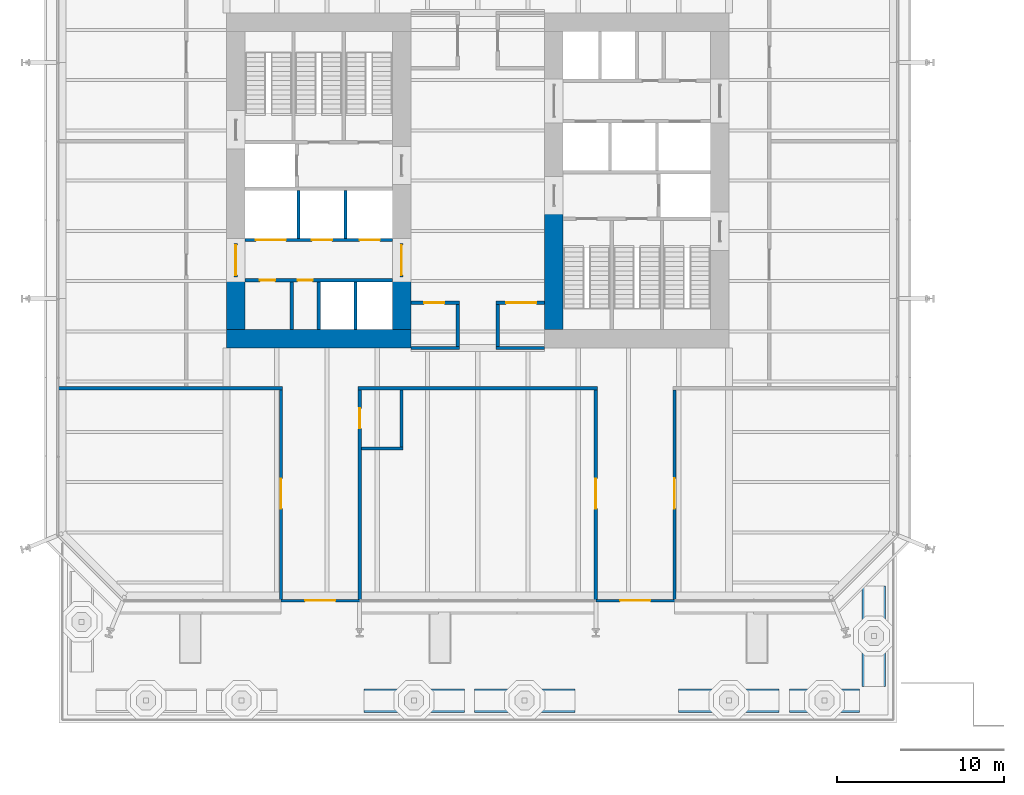
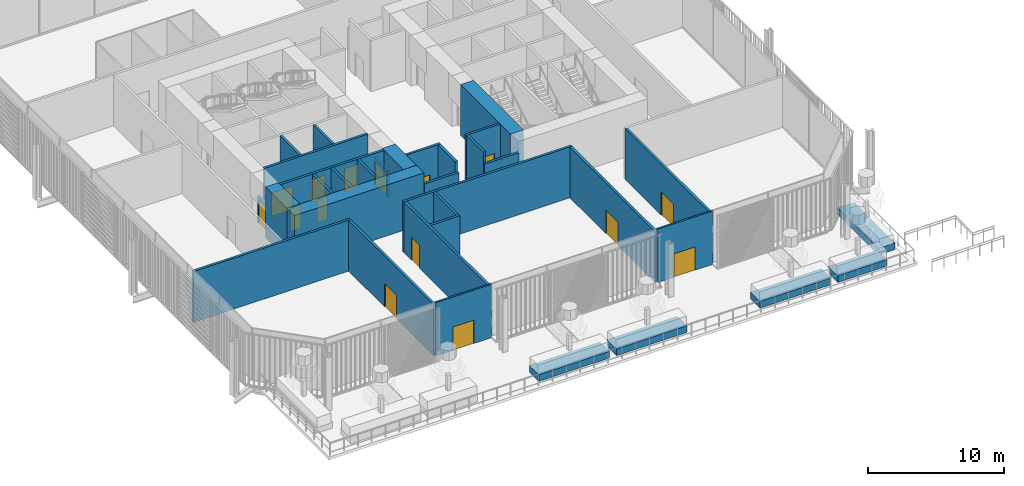
# One storey, part 15 of 21: 34 walls, 15 doors, 15 openings.
"""IFC4 building model written with IfcOpenShell, lengths in metres."""

from ifc_helpers import new_model, si_unit, direction, frame, frame_2d, origin, place, context, subcontext, project, spatial, rectangle, extrude, material, layer, layer_set, type_object, element, fill, save


model = new_model("IFC4")

# Units and contexts
model_context = context("Model", 3, precision=1e-05, world=origin(), true_north=direction((0.0, 1.0)))
body_context = subcontext(model_context, "Body", "Model", "MODEL_VIEW")
ifc_project = project(units=[si_unit("LENGTHUNIT", "METRE"), si_unit("AREAUNIT", "SQUARE_METRE"), si_unit("VOLUMEUNIT", "CUBIC_METRE"), si_unit("PLANEANGLEUNIT", "RADIAN"), si_unit("MASSUNIT", "GRAM", prefix="KILO")], contexts=[model_context])

# Site, building, storey
site_placement = place(None, origin())
site = spatial("IfcSite", under=ifc_project, at=site_placement, CompositionType="ELEMENT")
building_placement = place(site_placement, origin())
building = spatial("IfcBuilding", under=site, at=building_placement, Name="Millrace Tower", CompositionType="ELEMENT")
storey_placement = place(building_placement, frame((0.0, 0.0, 16.10009765625)))
storey = spatial("IfcBuildingStorey", under=building, at=storey_placement, Name="L04", CompositionType="ELEMENT", Elevation=16.10009765625)

# Walls
ifc_material_1 = material(Name="Concrete C80", Category="concrete")
ifc_layer_1 = layer(ifc_material_1, 1.10009765625)
ifc_layer_set_1 = layer_set([ifc_layer_1], Name="Concrete C80")
wall_type_1 = type_object("IfcWallType", Name="Core wall 1100 Concrete C80", PredefinedType="SHEAR", material=ifc_layer_set_1)
wall_1_placement = place(storey_placement, frame((-15.0, -9.449951171875, 0.0), z_axis=(0.0, 0.0, 1.0), x_axis=(1.0, 0.0, 0.0)))
element("IfcWall", 1, at=wall_1_placement, inside=storey, type_object=wall_type_1, Name="Core wall W L04", PredefinedType="SHEAR", context=body_context, shape_type="SweptSolid", body=[
    extrude(rectangle(XDim=11.0, YDim=1.10009765625, at=frame_2d((5.5, 0.0))), origin(), (0.0, 0.0, 1.0), 4.574951171875),
])
for number, where, z_axis, x_axis, name in (
    (2, (-14.449951171875, -8.89990234375, 0.0), (0.0, 0.0, 1.0), (0.0, 1.0, 0.0), "Core wall W L04"),
    (3, (-4.550048828125, -8.89990234375, 0.0), (0.0, 0.0, 1.0), (0.0, 1.0, 0.0), "Core wall W L04"),
):
    element("IfcWall", number, at=place(storey_placement, frame(where, z_axis=z_axis, x_axis=x_axis)), inside=storey, type_object=wall_type_1, Name=name, PredefinedType="SHEAR", context=body_context, shape_type="SweptSolid", body=[
        extrude(rectangle(XDim=3.14990234375, YDim=1.10009765625, at=frame_2d((1.574951171875, 0.0))), origin(), (0.0, 0.0, 1.0), 4.574951171875),
    ])
wall_2_placement = place(storey_placement, frame((4.550048828125, -1.550048828125, 0.0), z_axis=(0.0, 0.0, 1.0), x_axis=(0.0, -1.0, 0.0)))
element("IfcWall", 4, at=wall_2_placement, inside=storey, type_object=wall_type_1, Name="Core wall E L04", PredefinedType="SHEAR", context=body_context, shape_type="SweptSolid", body=[
    extrude(rectangle(XDim=7.349853515625, YDim=1.10009765625, at=frame_2d((3.6748046875, 0.0))), origin(), (0.0, 0.0, 1.0), 4.574951171875),
])
ifc_material_2 = material(Name="Masonry partition, fire-rated", Category="masonry")
ifc_layer_2 = layer(ifc_material_2, 0.199951171875)
ifc_layer_set_2 = layer_set([ifc_layer_2], Name="Masonry partition, fire-rated")
wall_type_2 = type_object("IfcWallType", Name="Corridor wall 200", PredefinedType="PARTITIONING", material=ifc_layer_set_2)
wall_3_placement = place(storey_placement, frame((-6.949951171875, -16.0, 0.0), z_axis=(0.0, 0.0, 1.0), x_axis=(1.0, 0.0, 0.0)))
element("IfcWall", 5, at=wall_3_placement, inside=storey, type_object=wall_type_2, Name="Corridor wall L04", PredefinedType="PARTITIONING", context=body_context, shape_type="SweptSolid", body=[
    extrude(rectangle(XDim=2.5, YDim=0.199951171875, at=frame_2d((1.25, 0.0))), origin(), (0.0, 0.0, 1.0), 4.574951171875),
])
wall_4_placement = place(storey_placement, frame((-25.030029296875, -12.39990234375, 0.0), z_axis=(0.0, 0.0, 1.0), x_axis=(1.0, 0.0, 0.0)))
element("IfcWall", 6, at=wall_4_placement, inside=storey, type_object=wall_type_2, Name="Corridor wall L04", PredefinedType="PARTITIONING", context=body_context, shape_type="SweptSolid", body=[
    extrude(rectangle(XDim=13.380126953125, YDim=0.199951171875, at=frame_2d((6.68994140625, 0.0))), origin(), (0.0, 0.0, 1.0), 4.574951171875),
])
wall_5_placement = place(storey_placement, frame((-7.14990234375, -12.39990234375, 0.0), z_axis=(0.0, 0.0, 1.0), x_axis=(1.0, 0.0, 0.0)))
element("IfcWall", 7, at=wall_5_placement, inside=storey, type_object=wall_type_2, Name="Corridor wall L04", PredefinedType="PARTITIONING", context=body_context, shape_type="SweptSolid", body=[
    extrude(rectangle(XDim=14.2998046875, YDim=0.199951171875, at=frame_2d((7.14990234375, 0.0))), origin(), (0.0, 0.0, 1.0), 4.574951171875),
])
for number, where, z_axis, x_axis, name in (
    (8, (-4.0, -10.0, 0.0), (0.0, 0.0, 1.0), (1.0, 0.0, 0.0), "Corridor wall L04"),
    (9, (1.10009765625, -10.0, 0.0), (0.0, 0.0, 1.0), (1.0, 0.0, 0.0), "Corridor wall L04"),
):
    element("IfcWall", number, at=place(storey_placement, frame(where, z_axis=z_axis, x_axis=x_axis)), inside=storey, type_object=wall_type_2, Name=name, PredefinedType="PARTITIONING", context=body_context, shape_type="SweptSolid", body=[
        extrude(rectangle(XDim=2.89990234375, YDim=0.199951171875, at=frame_2d((1.449951171875, 0.0))), origin(), (0.0, 0.0, 1.0), 3.62744140625),
    ])

# Wall, opening, door
wall_6_placement = place(storey_placement, frame((-4.0, -7.300048828125, 0.0), z_axis=(0.0, 0.0, 1.0), x_axis=(1.0, 0.0, 0.0)))
wall_6 = element("IfcWall", 10, at=wall_6_placement, inside=storey, type_object=wall_type_2, Name="Corridor wall L04", PredefinedType="PARTITIONING", context=body_context, shape_type="SweptSolid", body=[
    extrude(rectangle(XDim=2.89990234375, YDim=0.199951171875, at=frame_2d((1.449951171875, 0.0))), origin(), (0.0, 0.0, 1.0), 4.574951171875),
])
opening_1_placement = place(wall_6_placement, frame((0.800048828125, 0.0, 0.0)))
opening_1 = element("IfcOpeningElement", 11, at=opening_1_placement, cuts=wall_6, Name="Opening 04-P003", PredefinedType="OPENING", context=body_context, shape_type="SweptSolid", body=[
    extrude(rectangle(XDim=1.199951171875, YDim=2.10009765625, at=frame_2d((0.60009765625, 1.050048828125))), frame((0.0, 0.10986328125, 0.0), z_axis=(0.0, -1.0, 0.0), x_axis=(1.0, 0.0, 0.0)), (0.0, 0.0, 1.0), 0.219970703125),
])
ifc_material_3 = material(Name="Steel door set, fire-rated", Category="steel")
door_type_1 = type_object("IfcDoorType", Name="Corridor door 1200 x 2100", OperationType="SINGLE_SWING_LEFT", PredefinedType="DOOR", material=ifc_material_3)
door_1_placement = place(opening_1_placement, frame((1.199951171875, 0.0, 0.0), z_axis=(0.0, 0.0, 1.0), x_axis=(-1.0, 0.0, 0.0)))
door_1 = element("IfcDoor", 12, at=door_1_placement, inside=storey, type_object=door_type_1, Name="Door 04-P003", OperationType="SINGLE_SWING_RIGHT", OverallHeight=2.10009765625, OverallWidth=1.199951171875, PredefinedType="DOOR", context=body_context, shape_type="SweptSolid", body=[
    extrude(rectangle(XDim=1.199951171875, YDim=2.10009765625, at=frame_2d((0.60009765625, 1.050048828125))), frame((0.0, 0.02490234375, 0.0), z_axis=(0.0, -1.0, 0.0), x_axis=(1.0, 0.0, 0.0)), (0.0, 0.0, 1.0), 0.050048828125),
])
fill(opening_1, door_1)

wall_7_placement = place(storey_placement, frame((1.10009765625, -7.300048828125, 0.0), z_axis=(0.0, 0.0, 1.0), x_axis=(1.0, 0.0, 0.0)))
wall_7 = element("IfcWall", 13, at=wall_7_placement, inside=storey, type_object=wall_type_2, Name="Corridor wall L04", PredefinedType="PARTITIONING", context=body_context, shape_type="SweptSolid", body=[
    extrude(rectangle(XDim=2.89990234375, YDim=0.199951171875, at=frame_2d((1.449951171875, 0.0))), origin(), (0.0, 0.0, 1.0), 4.574951171875),
])
opening_2_placement = place(wall_7_placement, frame((0.60009765625, 0.0, 0.0)))
opening_2 = element("IfcOpeningElement", 14, at=opening_2_placement, cuts=wall_7, Name="Opening 04-P004", PredefinedType="OPENING", context=body_context, shape_type="SweptSolid", body=[
    extrude(rectangle(XDim=1.800048828125, YDim=2.10009765625, at=frame_2d((0.89990234375, 1.050048828125))), frame((0.0, 0.10986328125, 0.0), z_axis=(0.0, -1.0, 0.0), x_axis=(1.0, 0.0, 0.0)), (0.0, 0.0, 1.0), 0.219970703125),
])
ifc_material_4 = material(Name="Steel door set, fire-rated", Category="steel")
door_type_2 = type_object("IfcDoorType", Name="Data hall door 1800 x 2100", OperationType="DOUBLE_DOOR_SINGLE_SWING", PredefinedType="DOOR", material=ifc_material_4)
door_2_placement = place(opening_2_placement, frame((1.800048828125, 0.0, 0.0), z_axis=(0.0, 0.0, 1.0), x_axis=(-1.0, 0.0, 0.0)))
door_2 = element("IfcDoor", 15, at=door_2_placement, inside=storey, type_object=door_type_2, Name="Door 04-P004", OperationType="DOUBLE_DOOR_SINGLE_SWING", OverallHeight=2.10009765625, OverallWidth=1.800048828125, PredefinedType="DOOR", context=body_context, shape_type="SweptSolid", body=[
    extrude(rectangle(XDim=1.800048828125, YDim=2.10009765625, at=frame_2d((0.89990234375, 1.050048828125))), frame((0.0, 0.02490234375, 0.0), z_axis=(0.0, -1.0, 0.0), x_axis=(1.0, 0.0, 0.0)), (0.0, 0.0, 1.0), 0.050048828125),
])
fill(opening_2, door_2)

wall_8_placement = place(storey_placement, frame((11.75, -25.030029296875, 0.0), z_axis=(0.0, 0.0, 1.0), x_axis=(0.0, 1.0, 0.0)))
wall_8 = element("IfcWall", 16, at=wall_8_placement, inside=storey, type_object=wall_type_2, Name="Corridor wall L04", PredefinedType="PARTITIONING", context=body_context, shape_type="SweptSolid", body=[
    extrude(rectangle(XDim=12.530029296875, YDim=0.199951171875, at=frame_2d((6.26513671875, 0.0))), origin(), (0.0, 0.0, 1.0), 4.574951171875),
])
opening_3_placement = place(wall_8_placement, frame((5.43994140625, 0.0, 0.0)))
opening_3 = element("IfcOpeningElement", 17, at=opening_3_placement, cuts=wall_8, Name="Opening 04-P008", PredefinedType="OPENING", context=body_context, shape_type="SweptSolid", body=[
    extrude(rectangle(XDim=1.800048828125, YDim=2.10009765625, at=frame_2d((0.89990234375, 1.050048828125))), frame((0.0, 0.10986328125, 0.0), z_axis=(0.0, -1.0, 0.0), x_axis=(1.0, 0.0, 0.0)), (0.0, 0.0, 1.0), 0.219970703125),
])
door_3_placement = place(opening_3_placement, frame((1.800048828125, 0.0, 0.0), z_axis=(0.0, 0.0, 1.0), x_axis=(-1.0, 0.0, 0.0)))
door_3 = element("IfcDoor", 18, at=door_3_placement, inside=storey, type_object=door_type_2, Name="Door 04-P008", OperationType="DOUBLE_DOOR_SINGLE_SWING", OverallHeight=2.10009765625, OverallWidth=1.800048828125, PredefinedType="DOOR", context=body_context, shape_type="SweptSolid", body=[
    extrude(rectangle(XDim=1.800048828125, YDim=2.10009765625, at=frame_2d((0.89990234375, 1.050048828125))), frame((0.0, 0.02490234375, 0.0), z_axis=(0.0, -1.0, 0.0), x_axis=(1.0, 0.0, 0.0)), (0.0, 0.0, 1.0), 0.050048828125),
])
fill(opening_3, door_3)

wall_9_placement = place(storey_placement, frame((7.050048828125, -25.030029296875, 0.0), z_axis=(0.0, 0.0, 1.0), x_axis=(0.0, 1.0, 0.0)))
wall_9 = element("IfcWall", 19, at=wall_9_placement, inside=storey, type_object=wall_type_2, Name="Corridor wall L04", PredefinedType="PARTITIONING", context=body_context, shape_type="SweptSolid", body=[
    extrude(rectangle(XDim=12.530029296875, YDim=0.199951171875, at=frame_2d((6.26513671875, 0.0))), origin(), (0.0, 0.0, 1.0), 4.574951171875),
])
opening_4_placement = place(wall_9_placement, frame((5.43994140625, 0.0, 0.0)))
opening_4 = element("IfcOpeningElement", 20, at=opening_4_placement, cuts=wall_9, Name="Opening 04-P006", PredefinedType="OPENING", context=body_context, shape_type="SweptSolid", body=[
    extrude(rectangle(XDim=1.800048828125, YDim=2.10009765625, at=frame_2d((0.89990234375, 1.050048828125))), frame((0.0, 0.10986328125, 0.0), z_axis=(0.0, -1.0, 0.0), x_axis=(1.0, 0.0, 0.0)), (0.0, 0.0, 1.0), 0.219970703125),
])
door_4_placement = place(opening_4_placement, origin())
door_4 = element("IfcDoor", 21, at=door_4_placement, inside=storey, type_object=door_type_2, Name="Door 04-P006", OperationType="DOUBLE_DOOR_SINGLE_SWING", OverallHeight=2.10009765625, OverallWidth=1.800048828125, PredefinedType="DOOR", context=body_context, shape_type="SweptSolid", body=[
    extrude(rectangle(XDim=1.800048828125, YDim=2.10009765625, at=frame_2d((0.89990234375, 1.050048828125))), frame((0.0, 0.02490234375, 0.0), z_axis=(0.0, -1.0, 0.0), x_axis=(1.0, 0.0, 0.0)), (0.0, 0.0, 1.0), 0.050048828125),
])
fill(opening_4, door_4)

# Walls
for number, where, z_axis, x_axis, name in (
    (22, (1.199951171875, -9.89990234375, 0.0), (0.0, 0.0, 1.0), (0.0, 1.0, 0.0), "Corridor wall L04"),
    (23, (-1.199951171875, -9.89990234375, 0.0), (0.0, 0.0, 1.0), (0.0, 1.0, 0.0), "Corridor wall L04"),
):
    element("IfcWall", number, at=place(storey_placement, frame(where, z_axis=z_axis, x_axis=x_axis)), inside=storey, type_object=wall_type_2, Name=name, PredefinedType="PARTITIONING", context=body_context, shape_type="SweptSolid", body=[
        extrude(rectangle(XDim=2.5, YDim=0.199951171875, at=frame_2d((1.25, 0.0))), origin(), (0.0, 0.0, 1.0), 4.574951171875),
    ])
wall_10_placement = place(storey_placement, frame((-4.550048828125, -15.89990234375, 0.0), z_axis=(0.0, 0.0, 1.0), x_axis=(0.0, 1.0, 0.0)))
element("IfcWall", 24, at=wall_10_placement, inside=storey, type_object=wall_type_2, Name="Corridor wall L04", PredefinedType="PARTITIONING", context=body_context, shape_type="SweptSolid", body=[
    extrude(rectangle(XDim=3.39990234375, YDim=0.199951171875, at=frame_2d((1.699951171875, 0.0))), origin(), (0.0, 0.0, 1.0), 4.574951171875),
])

# Wall, opening, door
wall_11_placement = place(storey_placement, frame((-7.050048828125, -25.030029296875, 0.0), z_axis=(0.0, 0.0, 1.0), x_axis=(0.0, 1.0, 0.0)))
wall_11 = element("IfcWall", 25, at=wall_11_placement, inside=storey, type_object=wall_type_2, Name="Corridor wall L04", PredefinedType="PARTITIONING", context=body_context, shape_type="SweptSolid", body=[
    extrude(rectangle(XDim=12.530029296875, YDim=0.199951171875, at=frame_2d((6.26513671875, 0.0))), origin(), (0.0, 0.0, 1.0), 4.574951171875),
])
opening_5_placement = place(wall_11_placement, frame((10.22998046875, 0.0, 0.0)))
opening_5 = element("IfcOpeningElement", 26, at=opening_5_placement, cuts=wall_11, Name="Opening 04-P007", PredefinedType="OPENING", context=body_context, shape_type="SweptSolid", body=[
    extrude(rectangle(XDim=1.199951171875, YDim=2.10009765625, at=frame_2d((0.60009765625, 1.050048828125))), frame((0.0, 0.10986328125, 0.0), z_axis=(0.0, -1.0, 0.0), x_axis=(1.0, 0.0, 0.0)), (0.0, 0.0, 1.0), 0.219970703125),
])
door_5_placement = place(opening_5_placement, frame((1.199951171875, 0.0, 0.0), z_axis=(0.0, 0.0, 1.0), x_axis=(-1.0, 0.0, 0.0)))
door_5 = element("IfcDoor", 27, at=door_5_placement, inside=storey, type_object=door_type_1, Name="Door 04-P007", OperationType="SINGLE_SWING_LEFT", OverallHeight=2.10009765625, OverallWidth=1.199951171875, PredefinedType="DOOR", context=body_context, shape_type="SweptSolid", body=[
    extrude(rectangle(XDim=1.199951171875, YDim=2.10009765625, at=frame_2d((0.60009765625, 1.050048828125))), frame((0.0, 0.02490234375, 0.0), z_axis=(0.0, -1.0, 0.0), x_axis=(1.0, 0.0, 0.0)), (0.0, 0.0, 1.0), 0.050048828125),
])
fill(opening_5, door_5)

wall_12_placement = place(storey_placement, frame((-11.75, -25.030029296875, 0.0), z_axis=(0.0, 0.0, 1.0), x_axis=(0.0, 1.0, 0.0)))
wall_12 = element("IfcWall", 28, at=wall_12_placement, inside=storey, type_object=wall_type_2, Name="Corridor wall L04", PredefinedType="PARTITIONING", context=body_context, shape_type="SweptSolid", body=[
    extrude(rectangle(XDim=12.530029296875, YDim=0.199951171875, at=frame_2d((6.26513671875, 0.0))), origin(), (0.0, 0.0, 1.0), 4.574951171875),
])
opening_6_placement = place(wall_12_placement, frame((5.43994140625, 0.0, 0.0)))
opening_6 = element("IfcOpeningElement", 29, at=opening_6_placement, cuts=wall_12, Name="Opening 04-P005", PredefinedType="OPENING", context=body_context, shape_type="SweptSolid", body=[
    extrude(rectangle(XDim=1.800048828125, YDim=2.10009765625, at=frame_2d((0.89990234375, 1.050048828125))), frame((0.0, 0.10986328125, 0.0), z_axis=(0.0, -1.0, 0.0), x_axis=(1.0, 0.0, 0.0)), (0.0, 0.0, 1.0), 0.219970703125),
])
door_6_placement = place(opening_6_placement, origin())
door_6 = element("IfcDoor", 30, at=door_6_placement, inside=storey, type_object=door_type_2, Name="Door 04-P005", OperationType="DOUBLE_DOOR_SINGLE_SWING", OverallHeight=2.10009765625, OverallWidth=1.800048828125, PredefinedType="DOOR", context=body_context, shape_type="SweptSolid", body=[
    extrude(rectangle(XDim=1.800048828125, YDim=2.10009765625, at=frame_2d((0.89990234375, 1.050048828125))), frame((0.0, 0.02490234375, 0.0), z_axis=(0.0, -1.0, 0.0), x_axis=(1.0, 0.0, 0.0)), (0.0, 0.0, 1.0), 0.050048828125),
])
fill(opening_6, door_6)

ifc_material_5 = material(Name="Aluminium framed glazing", Category="aluminium")
ifc_layer_3 = layer(ifc_material_5, 0.14990234375)
ifc_layer_set_3 = layer_set([ifc_layer_3], Name="Aluminium framed glazing")
wall_type_3 = type_object("IfcWallType", Name="Entrance infill wall 150 thick", PredefinedType="STANDARD", material=ifc_layer_set_3)
wall_13_placement = place(storey_placement, frame((-11.75, -25.074951171875, 0.0), z_axis=(0.0, 0.0, 1.0), x_axis=(1.0, 0.0, 0.0)))
wall_13 = element("IfcWall", 31, at=wall_13_placement, inside=storey, type_object=wall_type_3, Name="Entrance infill wall A-F02 3", PredefinedType="STANDARD", context=body_context, shape_type="SweptSolid", body=[
    extrude(rectangle(XDim=4.764892578125, YDim=0.14990234375, at=frame_2d((2.38232421875, 0.0))), origin(), (0.0, 0.0, 1.0), 4.7998046875),
])
opening_7_placement = place(wall_13_placement, frame((1.449951171875, 0.0, 0.0)))
opening_7 = element("IfcOpeningElement", 32, at=opening_7_placement, cuts=wall_13, Name="Opening 04-X001", PredefinedType="OPENING", context=body_context, shape_type="SweptSolid", body=[
    extrude(rectangle(XDim=1.800048828125, YDim=2.10009765625, at=frame_2d((0.89990234375, 1.050048828125))), frame((0.0, 0.0849609375, 0.0), z_axis=(0.0, -1.0, 0.0), x_axis=(1.0, 0.0, 0.0)), (0.0, 0.0, 1.0), 0.169921875),
])
ifc_material_6 = material(Name="Aluminium and glass", Category="aluminium")
door_type_3 = type_object("IfcDoorType", Name="Cascade terrace double door", OperationType="DOUBLE_DOOR_DOUBLE_SWING", PredefinedType="DOOR", material=ifc_material_6)
door_7_placement = place(opening_7_placement, frame((1.800048828125, 0.0, 0.0), z_axis=(0.0, 0.0, 1.0), x_axis=(-1.0, 0.0, 0.0)))
door_7 = element("IfcDoor", 33, at=door_7_placement, inside=storey, type_object=door_type_3, Name="04-X001", OperationType="DOUBLE_DOOR_DOUBLE_SWING", OverallHeight=2.10009765625, OverallWidth=1.800048828125, PredefinedType="DOOR", context=body_context, shape_type="SweptSolid", body=[
    extrude(rectangle(XDim=1.800048828125, YDim=2.10009765625, at=frame_2d((0.89990234375, 1.050048828125))), frame((0.0, 0.02490234375, 0.0), z_axis=(0.0, -1.0, 0.0), x_axis=(1.0, 0.0, 0.0)), (0.0, 0.0, 1.0), 0.050048828125),
])
fill(opening_7, door_7)

wall_14_placement = place(storey_placement, frame((7.050048828125, -25.074951171875, 0.0), z_axis=(0.0, 0.0, 1.0), x_axis=(1.0, 0.0, 0.0)))
wall_14 = element("IfcWall", 34, at=wall_14_placement, inside=storey, type_object=wall_type_3, Name="Entrance infill wall A-F02 7", PredefinedType="STANDARD", context=body_context, shape_type="SweptSolid", body=[
    extrude(rectangle(XDim=4.764892578125, YDim=0.14990234375, at=frame_2d((2.38232421875, 0.0))), origin(), (0.0, 0.0, 1.0), 4.7998046875),
])
opening_8_placement = place(wall_14_placement, frame((1.449951171875, 0.0, 0.0)))
opening_8 = element("IfcOpeningElement", 35, at=opening_8_placement, cuts=wall_14, Name="Opening 04-X002", PredefinedType="OPENING", context=body_context, shape_type="SweptSolid", body=[
    extrude(rectangle(XDim=1.800048828125, YDim=2.10009765625, at=frame_2d((0.89990234375, 1.050048828125))), frame((0.0, 0.0849609375, 0.0), z_axis=(0.0, -1.0, 0.0), x_axis=(1.0, 0.0, 0.0)), (0.0, 0.0, 1.0), 0.169921875),
])
door_8_placement = place(opening_8_placement, frame((1.800048828125, 0.0, 0.0), z_axis=(0.0, 0.0, 1.0), x_axis=(-1.0, 0.0, 0.0)))
door_8 = element("IfcDoor", 36, at=door_8_placement, inside=storey, type_object=door_type_3, Name="04-X002", OperationType="DOUBLE_DOOR_DOUBLE_SWING", OverallHeight=2.10009765625, OverallWidth=1.800048828125, PredefinedType="DOOR", context=body_context, shape_type="SweptSolid", body=[
    extrude(rectangle(XDim=1.800048828125, YDim=2.10009765625, at=frame_2d((0.89990234375, 1.050048828125))), frame((0.0, 0.02490234375, 0.0), z_axis=(0.0, -1.0, 0.0), x_axis=(1.0, 0.0, 0.0)), (0.0, 0.0, 1.0), 0.050048828125),
])
fill(opening_8, door_8)

# Wall, openings, doors
ifc_material_7 = material(Name="Masonry partition, fire-rated", Category="masonry")
ifc_layer_4 = layer(ifc_material_7, 0.199951171875)
ifc_layer_set_4 = layer_set([ifc_layer_4], Name="Masonry partition, fire-rated")
wall_type_4 = type_object("IfcWallType", Name="Lift shaft wall 200", PredefinedType="PARTITIONING", material=ifc_layer_set_4)
wall_15_placement = place(storey_placement, frame((-13.89990234375, -5.949951171875, 0.0), z_axis=(0.0, 0.0, 1.0), x_axis=(1.0, 0.0, 0.0)))
wall_15 = element("IfcWall", 37, at=wall_15_placement, inside=storey, type_object=wall_type_4, Name="Lift shaft wall W L04", PredefinedType="PARTITIONING", context=body_context, shape_type="SweptSolid", body=[
    extrude(rectangle(XDim=8.7998046875, YDim=0.199951171875, at=frame_2d((4.39990234375, 0.0))), origin(), (0.0, 0.0, 1.0), 4.574951171875),
])
opening_9_placement = place(wall_15_placement, frame((0.8974609375, 0.0, 0.0)))
opening_9 = element("IfcOpeningElement", 38, at=opening_9_placement, cuts=wall_15, Name="Opening 04-C005", PredefinedType="OPENING", context=body_context, shape_type="SweptSolid", body=[
    extrude(rectangle(XDim=0.89990234375, YDim=2.10009765625, at=frame_2d((0.449951171875, 1.050048828125))), frame((0.0, 0.10986328125, 0.0), z_axis=(0.0, -1.0, 0.0), x_axis=(1.0, 0.0, 0.0)), (0.0, 0.0, 1.0), 0.219970703125),
])
opening_10_placement = place(wall_15_placement, frame((3.1474609375, 0.0, 0.0)))
opening_10 = element("IfcOpeningElement", 39, at=opening_10_placement, cuts=wall_15, Name="Opening 04-C006", PredefinedType="OPENING", context=body_context, shape_type="SweptSolid", body=[
    extrude(rectangle(XDim=0.89990234375, YDim=2.10009765625, at=frame_2d((0.449951171875, 1.050048828125))), frame((0.0, 0.10986328125, 0.0), z_axis=(0.0, -1.0, 0.0), x_axis=(1.0, 0.0, 0.0)), (0.0, 0.0, 1.0), 0.219970703125),
])
ifc_material_8 = material(Name="Steel door, fire-rated", Category="steel")
door_type_4 = type_object("IfcDoorType", Name="Service room door 900 x 2100", OperationType="SINGLE_SWING_LEFT", PredefinedType="DOOR", material=ifc_material_8)
door_9_placement = place(opening_9_placement, frame((0.89990234375, 0.0, 0.0), z_axis=(0.0, 0.0, 1.0), x_axis=(-1.0, 0.0, 0.0)))
door_9 = element("IfcDoor", 40, at=door_9_placement, inside=storey, type_object=door_type_4, Name="Service room door 04-C005", OperationType="SINGLE_SWING_RIGHT", OverallHeight=2.10009765625, OverallWidth=0.89990234375, PredefinedType="DOOR", context=body_context, shape_type="SweptSolid", body=[
    extrude(rectangle(XDim=0.89990234375, YDim=2.10009765625, at=frame_2d((0.449951171875, 1.050048828125))), frame((0.0, 0.02490234375, 0.0), z_axis=(0.0, -1.0, 0.0), x_axis=(1.0, 0.0, 0.0)), (0.0, 0.0, 1.0), 0.050048828125),
])
fill(opening_9, door_9)
door_10_placement = place(opening_10_placement, frame((0.89990234375, 0.0, 0.0), z_axis=(0.0, 0.0, 1.0), x_axis=(-1.0, 0.0, 0.0)))
door_10 = element("IfcDoor", 41, at=door_10_placement, inside=storey, type_object=door_type_4, Name="Service room door 04-C006", OperationType="SINGLE_SWING_RIGHT", OverallHeight=2.10009765625, OverallWidth=0.89990234375, PredefinedType="DOOR", context=body_context, shape_type="SweptSolid", body=[
    extrude(rectangle(XDim=0.89990234375, YDim=2.10009765625, at=frame_2d((0.449951171875, 1.050048828125))), frame((0.0, 0.02490234375, 0.0), z_axis=(0.0, -1.0, 0.0), x_axis=(1.0, 0.0, 0.0)), (0.0, 0.0, 1.0), 0.050048828125),
])
fill(opening_10, door_10)

wall_16_placement = place(storey_placement, frame((-13.89990234375, -3.550048828125, 0.0), z_axis=(0.0, 0.0, 1.0), x_axis=(1.0, 0.0, 0.0)))
wall_16 = element("IfcWall", 42, at=wall_16_placement, inside=storey, type_object=wall_type_4, Name="Lift shaft wall W L04", PredefinedType="PARTITIONING", context=body_context, shape_type="SweptSolid", body=[
    extrude(rectangle(XDim=8.7998046875, YDim=0.199951171875, at=frame_2d((4.39990234375, 0.0))), origin(), (0.0, 0.0, 1.0), 4.574951171875),
])
opening_11_placement = place(wall_16_placement, frame((0.64990234375, 0.0, 0.0)))
opening_11 = element("IfcOpeningElement", 43, at=opening_11_placement, cuts=wall_16, Name="Opening 04-LD05", PredefinedType="OPENING", context=body_context, shape_type="SweptSolid", body=[
    extrude(rectangle(XDim=1.800048828125, YDim=2.10009765625, at=frame_2d((0.89990234375, 1.050048828125))), frame((0.0, 0.10986328125, 0.0), z_axis=(0.0, -1.0, 0.0), x_axis=(1.0, 0.0, 0.0)), (0.0, 0.0, 1.0), 0.219970703125),
])
opening_12_placement = place(wall_16_placement, frame((4.0, 0.0, 0.0)))
opening_12 = element("IfcOpeningElement", 44, at=opening_12_placement, cuts=wall_16, Name="Opening 04-LD06", PredefinedType="OPENING", context=body_context, shape_type="SweptSolid", body=[
    extrude(rectangle(XDim=1.199951171875, YDim=2.10009765625, at=frame_2d((0.60009765625, 1.050048828125))), frame((0.0, 0.10986328125, 0.0), z_axis=(0.0, -1.0, 0.0), x_axis=(1.0, 0.0, 0.0)), (0.0, 0.0, 1.0), 0.219970703125),
])
opening_13_placement = place(wall_16_placement, frame((6.85009765625, 0.0, 0.0)))
opening_13 = element("IfcOpeningElement", 45, at=opening_13_placement, cuts=wall_16, Name="Opening 04-LD07", PredefinedType="OPENING", context=body_context, shape_type="SweptSolid", body=[
    extrude(rectangle(XDim=1.199951171875, YDim=2.10009765625, at=frame_2d((0.60009765625, 1.050048828125))), frame((0.0, 0.10986328125, 0.0), z_axis=(0.0, -1.0, 0.0), x_axis=(1.0, 0.0, 0.0)), (0.0, 0.0, 1.0), 0.219970703125),
])
ifc_material_9 = material(Name="Stainless steel, fire-rated", Category="steel")
door_type_5 = type_object("IfcDoorType", Name="Lift landing door 1200 x 2100", OperationType="DOUBLE_DOOR_SLIDING", PredefinedType="DOOR", material=ifc_material_9)
door_11_placement = place(opening_12_placement, origin())
door_11 = element("IfcDoor", 46, at=door_11_placement, inside=storey, type_object=door_type_5, Name="Lift landing door LF6 L04", OperationType="DOUBLE_DOOR_SLIDING", OverallHeight=2.10009765625, OverallWidth=1.199951171875, PredefinedType="DOOR", context=body_context, shape_type="SweptSolid", body=[
    extrude(rectangle(XDim=1.199951171875, YDim=2.10009765625, at=frame_2d((0.60009765625, 1.050048828125))), frame((0.0, 0.02490234375, 0.0), z_axis=(0.0, -1.0, 0.0), x_axis=(1.0, 0.0, 0.0)), (0.0, 0.0, 1.0), 0.050048828125),
])
fill(opening_12, door_11)
door_12_placement = place(opening_13_placement, origin())
door_12 = element("IfcDoor", 47, at=door_12_placement, inside=storey, type_object=door_type_5, Name="Lift landing door LF7 L04", OperationType="DOUBLE_DOOR_SLIDING", OverallHeight=2.10009765625, OverallWidth=1.199951171875, PredefinedType="DOOR", context=body_context, shape_type="SweptSolid", body=[
    extrude(rectangle(XDim=1.199951171875, YDim=2.10009765625, at=frame_2d((0.60009765625, 1.050048828125))), frame((0.0, 0.02490234375, 0.0), z_axis=(0.0, -1.0, 0.0), x_axis=(1.0, 0.0, 0.0)), (0.0, 0.0, 1.0), 0.050048828125),
])
fill(opening_13, door_12)
ifc_material_10 = material(Name="Stainless steel, fire-rated", Category="steel")
door_type_6 = type_object("IfcDoorType", Name="Lift landing door 1800 x 2100", OperationType="DOUBLE_DOOR_SLIDING", PredefinedType="DOOR", material=ifc_material_10)
door_13_placement = place(opening_11_placement, origin())
door_13 = element("IfcDoor", 48, at=door_13_placement, inside=storey, type_object=door_type_6, Name="Lift landing door LF5 L04", OperationType="DOUBLE_DOOR_SLIDING", OverallHeight=2.10009765625, OverallWidth=1.800048828125, PredefinedType="DOOR", context=body_context, shape_type="SweptSolid", body=[
    extrude(rectangle(XDim=1.800048828125, YDim=2.10009765625, at=frame_2d((0.89990234375, 1.050048828125))), frame((0.0, 0.02490234375, 0.0), z_axis=(0.0, -1.0, 0.0), x_axis=(1.0, 0.0, 0.0)), (0.0, 0.0, 1.0), 0.050048828125),
])
fill(opening_11, door_13)

# Walls
for number, where, z_axis, x_axis, name in (
    (49, (-9.5, -8.89990234375, 0.0), (0.0, 0.0, 1.0), (0.0, 1.0, 0.0), "Lift shaft wall W L04"),
    (50, (-7.300048828125, -8.89990234375, 0.0), (0.0, 0.0, 1.0), (0.0, 1.0, 0.0), "Lift shaft wall W L04"),
    (51, (-10.699951171875, -3.449951171875, 0.0), (0.0, 0.0, 1.0), (0.0, 1.0, 0.0), "Lift shaft wall W L04"),
    (52, (-7.89990234375, -3.449951171875, 0.0), (0.0, 0.0, 1.0), (0.0, 1.0, 0.0), "Lift shaft wall W L04"),
):
    element("IfcWall", number, at=place(storey_placement, frame(where, z_axis=z_axis, x_axis=x_axis)), inside=storey, type_object=wall_type_4, Name=name, PredefinedType="PARTITIONING", context=body_context, shape_type="SweptSolid", body=[
        extrude(rectangle(XDim=2.849853515625, YDim=0.199951171875, at=frame_2d((1.4248046875, 0.0))), origin(), (0.0, 0.0, 1.0), 4.574951171875),
    ])

# Wall, opening, door
ifc_material_11 = material(Name="Masonry partition, fire-rated", Category="masonry")
ifc_layer_5 = layer(ifc_material_11, 0.199951171875)
ifc_layer_set_5 = layer_set([ifc_layer_5], Name="Masonry partition, fire-rated")
wall_type_5 = type_object("IfcWallType", Name="Lobby wall 200", PredefinedType="PARTITIONING", material=ifc_layer_set_5)
wall_17_placement = place(storey_placement, frame((-14.449951171875, -5.75, 0.0), z_axis=(0.0, 0.0, 1.0), x_axis=(0.0, 1.0, 0.0)))
wall_17 = element("IfcWall", 53, at=wall_17_placement, inside=storey, type_object=wall_type_5, Name="Lobby wall W L04", PredefinedType="PARTITIONING", context=body_context, shape_type="SweptSolid", body=[
    extrude(rectangle(XDim=2.0, YDim=0.199951171875, at=frame_2d((1.0, 0.0))), origin(), (0.0, 0.0, 1.0), 2.39990234375),
])
opening_14_placement = place(wall_17_placement, frame((0.10009765625, 0.0, 0.0)))
opening_14 = element("IfcOpeningElement", 54, at=opening_14_placement, cuts=wall_17, Name="Opening 04-C001", PredefinedType="OPENING", context=body_context, shape_type="SweptSolid", body=[
    extrude(rectangle(XDim=1.800048828125, YDim=2.10009765625, at=frame_2d((0.89990234375, 1.050048828125))), frame((0.0, 0.10986328125, 0.0), z_axis=(0.0, -1.0, 0.0), x_axis=(1.0, 0.0, 0.0)), (0.0, 0.0, 1.0), 0.219970703125),
])
ifc_material_12 = material(Name="Steel door, fire-rated", Category="steel")
door_type_7 = type_object("IfcDoorType", Name="Lobby door 1800 x 2100", OperationType="DOUBLE_DOOR_SINGLE_SWING", PredefinedType="DOOR", material=ifc_material_12)
door_14_placement = place(opening_14_placement, origin())
door_14 = element("IfcDoor", 55, at=door_14_placement, inside=storey, type_object=door_type_7, Name="Lobby door 04-C001", OperationType="DOUBLE_DOOR_SINGLE_SWING", OverallHeight=2.10009765625, OverallWidth=1.800048828125, PredefinedType="DOOR", context=body_context, shape_type="SweptSolid", body=[
    extrude(rectangle(XDim=1.800048828125, YDim=2.10009765625, at=frame_2d((0.89990234375, 1.050048828125))), frame((0.0, 0.02490234375, 0.0), z_axis=(0.0, -1.0, 0.0), x_axis=(1.0, 0.0, 0.0)), (0.0, 0.0, 1.0), 0.050048828125),
])
fill(opening_14, door_14)

wall_18_placement = place(storey_placement, frame((-4.550048828125, -5.75, 0.0), z_axis=(0.0, 0.0, 1.0), x_axis=(0.0, 1.0, 0.0)))
wall_18 = element("IfcWall", 56, at=wall_18_placement, inside=storey, type_object=wall_type_5, Name="Lobby wall W L04", PredefinedType="PARTITIONING", context=body_context, shape_type="SweptSolid", body=[
    extrude(rectangle(XDim=2.0, YDim=0.199951171875, at=frame_2d((1.0, 0.0))), origin(), (0.0, 0.0, 1.0), 2.39990234375),
])
opening_15_placement = place(wall_18_placement, frame((0.10009765625, 0.0, 0.0)))
opening_15 = element("IfcOpeningElement", 57, at=opening_15_placement, cuts=wall_18, Name="Opening 04-C003", PredefinedType="OPENING", context=body_context, shape_type="SweptSolid", body=[
    extrude(rectangle(XDim=1.800048828125, YDim=2.10009765625, at=frame_2d((0.89990234375, 1.050048828125))), frame((0.0, 0.10986328125, 0.0), z_axis=(0.0, -1.0, 0.0), x_axis=(1.0, 0.0, 0.0)), (0.0, 0.0, 1.0), 0.219970703125),
])
door_15_placement = place(opening_15_placement, origin())
door_15 = element("IfcDoor", 58, at=door_15_placement, inside=storey, type_object=door_type_7, Name="Lobby door 04-C003", OperationType="DOUBLE_DOOR_SINGLE_SWING", OverallHeight=2.10009765625, OverallWidth=1.800048828125, PredefinedType="DOOR", context=body_context, shape_type="SweptSolid", body=[
    extrude(rectangle(XDim=1.800048828125, YDim=2.10009765625, at=frame_2d((0.89990234375, 1.050048828125))), frame((0.0, 0.02490234375, 0.0), z_axis=(0.0, -1.0, 0.0), x_axis=(1.0, 0.0, 0.0)), (0.0, 0.0, 1.0), 0.050048828125),
])
fill(opening_15, door_15)

# Walls
ifc_material_13 = material(Name="Concrete C40", Category="concrete")
ifc_layer_6 = layer(ifc_material_13, 1.39990234375)
ifc_layer_set_6 = layer_set([ifc_layer_6], Name="Concrete C40")
wall_type_6 = type_object("IfcWallType", Name="PLANTER raised bed 600 high x 1400 thick", PredefinedType="STANDARD", material=ifc_layer_set_6)
for number, where, z_axis, x_axis, name in (
    (59, (-6.800048828125, -31.050048828125, 0.0), (0.0, 0.0, 1.0), (1.0, 0.0, 0.0), "PLANTER raised bed CT-L03-1 1.1.2"),
    (60, (-0.199951171875, -31.050048828125, 0.0), (0.0, 0.0, 1.0), (1.0, 0.0, 0.0), "PLANTER raised bed CT-L03-1 1.1.3"),
    (61, (12.0, -31.050048828125, 0.0), (0.0, 0.0, 1.0), (1.0, 0.0, 0.0), "PLANTER raised bed CT-L03-1 1.1.4"),
):
    element("IfcWall", number, at=place(storey_placement, frame(where, z_axis=z_axis, x_axis=x_axis)), inside=storey, type_object=wall_type_6, Name=name, PredefinedType="STANDARD", context=body_context, shape_type="SweptSolid", body=[
        extrude(rectangle(XDim=6.0, YDim=1.39990234375, at=frame_2d((3.0, 0.0))), origin(), (0.0, 0.0, 1.0), 0.599853515625),
    ])
wall_19_placement = place(storey_placement, frame((18.60009765625, -31.050048828125, 0.0), z_axis=(0.0, 0.0, 1.0), x_axis=(1.0, 0.0, 0.0)))
element("IfcWall", 62, at=wall_19_placement, inside=storey, type_object=wall_type_6, Name="PLANTER raised bed CT-L03-1 1.1.5", PredefinedType="STANDARD", context=body_context, shape_type="SweptSolid", body=[
    extrude(rectangle(XDim=4.199951171875, YDim=1.39990234375, at=frame_2d((2.10009765625, 0.0))), origin(), (0.0, 0.0, 1.0), 0.599853515625),
])
wall_20_placement = place(storey_placement, frame((23.64990234375, -30.199951171875, 0.0), z_axis=(0.0, 0.0, 1.0), x_axis=(0.0, 1.0, 0.0)))
element("IfcWall", 63, at=wall_20_placement, inside=storey, type_object=wall_type_6, Name="PLANTER raised bed CT-L03-1 1.2.0", PredefinedType="STANDARD", context=body_context, shape_type="SweptSolid", body=[
    extrude(rectangle(XDim=6.0, YDim=1.39990234375, at=frame_2d((3.0, 0.0))), origin(), (0.0, 0.0, 1.0), 0.599853515625),
])
ifc_material_14 = material(Name="Masonry partition, fire-rated", Category="masonry")
ifc_layer_7 = layer(ifc_material_14, 0.199951171875)
ifc_layer_set_7 = layer_set([ifc_layer_7], Name="Masonry partition, fire-rated")
wall_type_7 = type_object("IfcWallType", Name="Room partition 200", PredefinedType="PARTITIONING", material=ifc_layer_set_7)
wall_21_placement = place(storey_placement, frame((-11.10498046875, -8.89990234375, 0.0), z_axis=(0.0, 0.0, 1.0), x_axis=(0.0, 1.0, 0.0)))
element("IfcWall", 64, at=wall_21_placement, inside=storey, type_object=wall_type_7, Name="Room partition W L04", PredefinedType="PARTITIONING", context=body_context, shape_type="SweptSolid", body=[
    extrude(rectangle(XDim=2.849853515625, YDim=0.199951171875, at=frame_2d((1.4248046875, 0.0))), origin(), (0.0, 0.0, 1.0), 4.574951171875),
])

save(model, "model.ifc")
